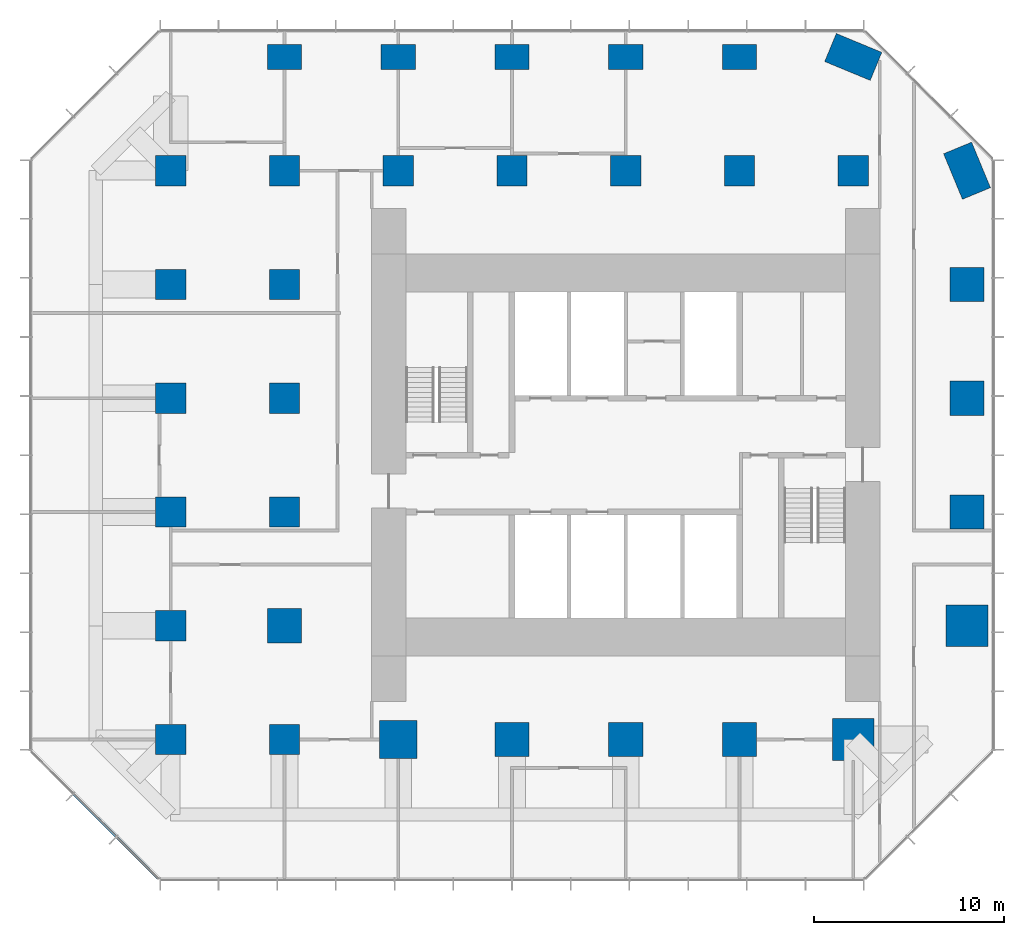
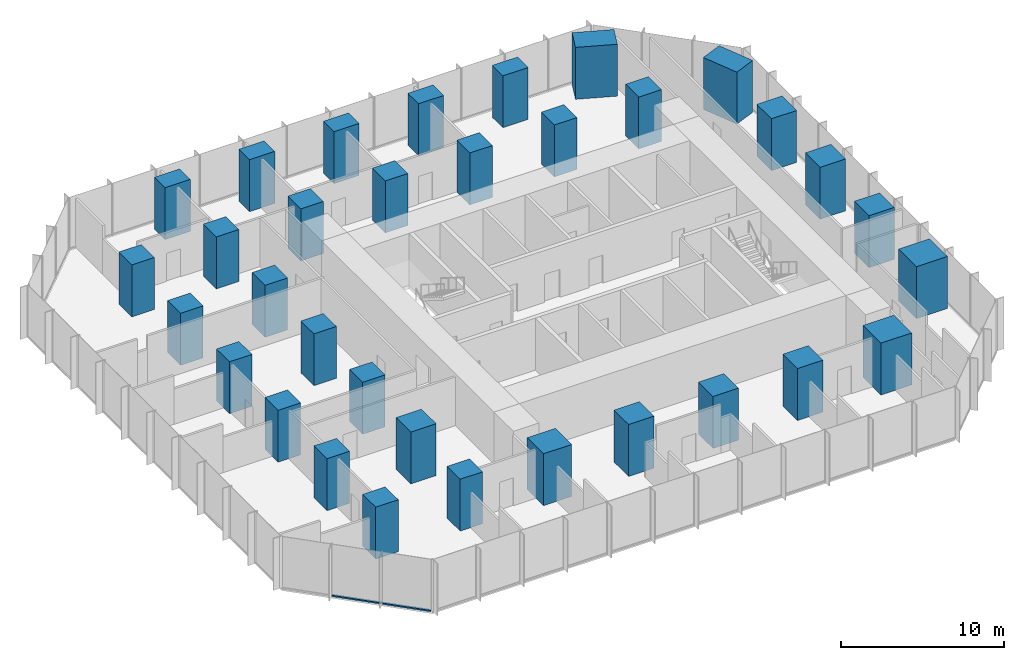
# One storey, part 1 of 11: 33 columns, 2 members, 1 element without a shape of its own.
"""IFC4 building model written with IfcOpenShell, lengths in metres."""

from ifc_helpers import new_model, si_unit, direction, frame, origin, origin_2d, place, context, subcontext, project, spatial, rectangle, extrude, material, layer, layer_set, material_profile, profile_set, type_object, element, aggregate, save


model = new_model("IFC4")

# Units and contexts
model_context = context("Model", 3, precision=1e-05, world=origin(), true_north=direction((0.0, 1.0)))
body_context = subcontext(model_context, "Body", "Model", "MODEL_VIEW")
ifc_project = project(units=[si_unit("LENGTHUNIT", "METRE"), si_unit("AREAUNIT", "SQUARE_METRE"), si_unit("VOLUMEUNIT", "CUBIC_METRE"), si_unit("PLANEANGLEUNIT", "RADIAN"), si_unit("MASSUNIT", "GRAM", prefix="KILO")], contexts=[model_context])

# Site, building, storey
site_placement = place(None, origin())
site = spatial("IfcSite", under=ifc_project, at=site_placement, CompositionType="ELEMENT")
building_placement = place(site_placement, origin())
building = spatial("IfcBuilding", under=site, at=building_placement, Name="Highveld Stack Headquarters", CompositionType="ELEMENT")
storey_placement = place(building_placement, frame((0.0, 0.0, 128.89990234375)))
storey = spatial("IfcBuildingStorey", under=building, at=storey_placement, Name="L31", CompositionType="ELEMENT", Elevation=128.89990234375)

# Columns
ifc_material_1 = material(Name="Concrete C60/75", Category="concrete")
ifc_material_profile_1 = material_profile(ifc_material_1, rectangle(XDim=1.60009765625, YDim=1.60009765625, at=origin_2d()), Name="RC 1600x1600")
ifc_profile_set_1 = profile_set([ifc_material_profile_1], Name="Concrete C60/75")
column_type_1 = type_object("IfcColumnType", Name="COLUMN RC 1600x1600 C60/75", PredefinedType="COLUMN", material=ifc_profile_set_1)
for number, where, z_axis, x_axis, name in (
    (1, (-18.0, -12.0, 0.0), (0.0, 0.0, 1.0), (1.0, 0.0, 0.0), "Column 3/C L31"),
    (2, (-18.0, -6.0, 0.0), (0.0, 0.0, 1.0), (1.0, 0.0, 0.0), "Column 3/D L31"),
    (3, (-18.0, 0.0, 0.0), (0.0, 0.0, 1.0), (1.0, 0.0, 0.0), "Column 3/E L31"),
    (4, (-18.0, 6.0, 0.0), (0.0, 0.0, 1.0), (1.0, 0.0, 0.0), "Column 3/F L31"),
    (5, (-18.0, 12.0, 0.0), (0.0, 0.0, 1.0), (1.0, 0.0, 0.0), "Column 3/G L31"),
    (6, (-18.0, 18.0, 0.0), (0.0, 0.0, 1.0), (1.0, 0.0, 0.0), "Column 3/H L31"),
    (7, (-12.0, -12.0, 0.0), (0.0, 0.0, 1.0), (1.0, 0.0, 0.0), "Column 4/C L31"),
    (8, (-12.0, 0.0, 0.0), (0.0, 0.0, 1.0), (1.0, 0.0, 0.0), "Column 4/E L31"),
    (9, (-12.0, 6.0, 0.0), (0.0, 0.0, 1.0), (1.0, 0.0, 0.0), "Column 4/F L31"),
    (10, (-12.0, 12.0, 0.0), (0.0, 0.0, 1.0), (1.0, 0.0, 0.0), "Column 4/G L31"),
    (11, (-12.0, 18.0, 0.0), (0.0, 0.0, 1.0), (1.0, 0.0, 0.0), "Column 4/H L31"),
    (12, (-6.0, 18.0, 0.0), (0.0, 0.0, 1.0), (1.0, 0.0, 0.0), "Column 5/H L31"),
    (13, (0.0, 18.0, 0.0), (0.0, 0.0, 1.0), (1.0, 0.0, 0.0), "Column 6/H L31"),
    (14, (6.0, 18.0, 0.0), (0.0, 0.0, 1.0), (1.0, 0.0, 0.0), "Column 7/H L31"),
    (15, (12.0, 18.0, 0.0), (0.0, 0.0, 1.0), (1.0, 0.0, 0.0), "Column 8/H L31"),
    (16, (18.0, 18.0, 0.0), (0.0, 0.0, 1.0), (1.0, 0.0, 0.0), "Column 9/H L31"),
):
    element("IfcColumn", number, at=place(storey_placement, frame(where, z_axis=z_axis, x_axis=x_axis)), inside=storey, type_object=column_type_1, Name=name, PredefinedType="COLUMN", context=body_context, shape_type="SweptSolid", body=[
        extrude(rectangle(XDim=1.60009765625, YDim=1.60009765625, at=origin_2d()), origin(), (0.0, 0.0, 1.0), 3.900146484375),
    ])
ifc_material_2 = material(Name="Concrete C60/75", Category="concrete")
ifc_material_profile_2 = material_profile(ifc_material_2, rectangle(XDim=1.800048828125, YDim=1.300048828125, at=origin_2d()), Name="RC 1800x1300")
ifc_profile_set_2 = profile_set([ifc_material_profile_2], Name="Concrete C60/75")
column_type_2 = type_object("IfcColumnType", Name="COLUMN RC 1800x1300 C60/75", PredefinedType="COLUMN", material=ifc_profile_set_2)
for number, where, z_axis, x_axis, name in (
    (17, (-12.0, 24.0, 0.0), (0.0, 0.0, 1.0), (1.0, 0.0, 0.0), "Column 4/J L31"),
    (18, (-6.0, 24.0, 0.0), (0.0, 0.0, 1.0), (1.0, 0.0, 0.0), "Column 5/J L31"),
    (19, (0.0, 24.0, 0.0), (0.0, 0.0, 1.0), (1.0, 0.0, 0.0), "Column 6/J L31"),
    (20, (6.0, 24.0, 0.0), (0.0, 0.0, 1.0), (1.0, 0.0, 0.0), "Column 7/J L31"),
    (21, (12.0, 24.0, 0.0), (0.0, 0.0, 1.0), (1.0, 0.0, 0.0), "Column 8/J L31"),
):
    element("IfcColumn", number, at=place(storey_placement, frame(where, z_axis=z_axis, x_axis=x_axis)), inside=storey, type_object=column_type_2, Name=name, PredefinedType="COLUMN", context=body_context, shape_type="SweptSolid", body=[
        extrude(rectangle(XDim=1.800048828125, YDim=1.300048828125, at=origin_2d()), origin(), (0.0, 0.0, 1.0), 3.900146484375),
    ])
ifc_material_3 = material(Name="Concrete C60/75", Category="concrete")
ifc_material_profile_3 = material_profile(ifc_material_3, rectangle(XDim=1.800048828125, YDim=1.800048828125, at=origin_2d()), Name="RC 1800x1800")
ifc_profile_set_3 = profile_set([ifc_material_profile_3], Name="Concrete C60/75")
column_type_3 = type_object("IfcColumnType", Name="COLUMN RC 1800x1800 C60/75", PredefinedType="COLUMN", material=ifc_profile_set_3)
for number, where, z_axis, x_axis, name in (
    (22, (-12.0, -6.0, 0.0), (0.0, 0.0, 1.0), (1.0, 0.0, 0.0), "Column 4/D L31"),
    (23, (0.0, -12.0, 0.0), (0.0, 0.0, 1.0), (1.0, 0.0, 0.0), "Column 6/C L31"),
    (24, (6.0, -12.0, 0.0), (0.0, 0.0, 1.0), (1.0, 0.0, 0.0), "Column 7/C L31"),
    (25, (12.0, -12.0, 0.0), (0.0, 0.0, 1.0), (1.0, 0.0, 0.0), "Column 8/C L31"),
    (26, (24.0, 0.0, 0.0), (0.0, 0.0, 1.0), (1.0, 0.0, 0.0), "Column 10/E L31"),
    (27, (24.0, 6.0, 0.0), (0.0, 0.0, 1.0), (1.0, 0.0, 0.0), "Column 10/F L31"),
    (28, (24.0, 12.0, 0.0), (0.0, 0.0, 1.0), (1.0, 0.0, 0.0), "Column 10/G L31"),
):
    element("IfcColumn", number, at=place(storey_placement, frame(where, z_axis=z_axis, x_axis=x_axis)), inside=storey, type_object=column_type_3, Name=name, PredefinedType="COLUMN", context=body_context, shape_type="SweptSolid", body=[
        extrude(rectangle(XDim=1.800048828125, YDim=1.800048828125, at=origin_2d()), origin(), (0.0, 0.0, 1.0), 3.900146484375),
    ])
ifc_material_4 = material(Name="Concrete C60/75", Category="concrete")
ifc_material_profile_4 = material_profile(ifc_material_4, rectangle(XDim=2.0, YDim=2.0, at=origin_2d()), Name="RC 2000x2000")
ifc_profile_set_4 = profile_set([ifc_material_profile_4], Name="Concrete C60/75")
column_type_4 = type_object("IfcColumnType", Name="COLUMN RC 2000x2000 C60/75", PredefinedType="COLUMN", material=ifc_profile_set_4)
column_placement = place(storey_placement, frame((-6.0, -12.0, 0.0), z_axis=(0.0, 0.0, 1.0), x_axis=(1.0, 0.0, 0.0)))
element("IfcColumn", 29, at=column_placement, inside=storey, type_object=column_type_4, Name="Column 5/C L31", PredefinedType="COLUMN", context=body_context, shape_type="SweptSolid", body=[
    extrude(rectangle(XDim=2.0, YDim=2.0, at=origin_2d()), origin(), (0.0, 0.0, 1.0), 3.900146484375),
])
ifc_material_5 = material(Name="Concrete C60/75", Category="concrete")
ifc_material_profile_5 = material_profile(ifc_material_5, rectangle(XDim=2.199951171875, YDim=2.199951171875, at=origin_2d()), Name="RC 2200x2200")
ifc_profile_set_5 = profile_set([ifc_material_profile_5], Name="Concrete C60/75")
column_type_5 = type_object("IfcColumnType", Name="COLUMN RC 2200x2200 C60/75", PredefinedType="COLUMN", material=ifc_profile_set_5)
for number, where, z_axis, x_axis, name in (
    (30, (18.0, -12.0, 0.0), (0.0, 0.0, 1.0), (1.0, 0.0, 0.0), "Column 9/C L31"),
    (31, (24.0, -6.0, 0.0), (0.0, 0.0, 1.0), (1.0, 0.0, 0.0), "Column 10/D L31"),
):
    element("IfcColumn", number, at=place(storey_placement, frame(where, z_axis=z_axis, x_axis=x_axis)), inside=storey, type_object=column_type_5, Name=name, PredefinedType="COLUMN", context=body_context, shape_type="SweptSolid", body=[
        extrude(rectangle(XDim=2.199951171875, YDim=2.199951171875, at=origin_2d()), origin(), (0.0, 0.0, 1.0), 3.900146484375),
    ])
ifc_material_6 = material(Name="Concrete C60/75", Category="concrete")
ifc_material_profile_6 = material_profile(ifc_material_6, rectangle(XDim=2.60009765625, YDim=1.60009765625, at=origin_2d()), Name="RC 2600x1600")
ifc_profile_set_6 = profile_set([ifc_material_profile_6], Name="Concrete C60/75")
column_type_6 = type_object("IfcColumnType", Name="COLUMN RC 2600x1600 C60/75", PredefinedType="COLUMN", material=ifc_profile_set_6)
for number, where, z_axis, x_axis, name in (
    (32, (18.0, 24.0, 0.0), (0.0, 0.0, 1.0), (0.923879532511, -0.382683432365, 0.0), "Column 9/J L31"),
    (33, (24.0, 18.0, 0.0), (0.0, 0.0, 1.0), (0.382683432365, -0.923879532511, 0.0), "Column 10/H L31"),
):
    element("IfcColumn", number, at=place(storey_placement, frame(where, z_axis=z_axis, x_axis=x_axis)), inside=storey, type_object=column_type_6, Name=name, PredefinedType="COLUMN", context=body_context, shape_type="SweptSolid", body=[
        extrude(rectangle(XDim=2.60009765625, YDim=1.60009765625, at=origin_2d()), origin(), (0.0, 0.0, 1.0), 3.900146484375),
    ])

# Curtain wall, members
ifc_material_7 = material(Name="Aluminium bronze anodised", Category="aluminium")
ifc_layer = layer(ifc_material_7, 0.199951171875)
ifc_layer_set = layer_set([ifc_layer], Name="Aluminium bronze anodised")
curtain_wall_type = type_object("IfcCurtainWallType", Name="CW2 TOWER CHAMFER UNITISED CURTAIN WALL", PredefinedType="NOTDEFINED", material=ifc_layer_set)
curtain_wall_placement = place(storey_placement, origin())
curtain_wall = element("IfcCurtainWall", 34, at=curtain_wall_placement, inside=storey, type_object=curtain_wall_type, Name="Curtain wall CW2 L31 SW", PredefinedType="NOTDEFINED")
ifc_material_8 = material(Name="Aluminium bronze anodised", Category="aluminium")
ifc_material_profile_7 = material_profile(ifc_material_8, rectangle(XDim=0.14990234375, YDim=0.10009765625, at=origin_2d()), Name="CW2 TRANSOM 150x100")
ifc_profile_set_7 = profile_set([ifc_material_profile_7], Name="Aluminium bronze anodised")
member_type = type_object("IfcMemberType", Name="CW2 STACK TRANSOM 150x100", PredefinedType="USERDEFINED", material=ifc_profile_set_7)
member_1_placement = place(storey_placement, frame((-23.103759765625, -14.876220703125, 0.050048828125), z_axis=(0.707106781187, -0.707106781187, 0.0), x_axis=(0.707106781187, 0.707106781187, 0.0)))
member_1 = element("IfcMember", 35, at=member_1_placement, type_object=member_type, Name="CW2 transom L31 2.1", ObjectType="TRANSOM", PredefinedType="USERDEFINED", context=body_context, shape_type="SweptSolid", body=[
    extrude(rectangle(XDim=0.14990234375, YDim=0.10009765625, at=origin_2d()), origin(), (0.0, 0.0, 1.0), 3.150146484375),
])
member_2_placement = place(storey_placement, frame((-20.830322265625, -17.149658203125, 0.050048828125), z_axis=(0.707106781187, -0.707106781187, 0.0), x_axis=(0.707106781187, 0.707106781187, 0.0)))
member_2 = element("IfcMember", 36, at=member_2_placement, type_object=member_type, Name="CW2 transom L31 3.1", ObjectType="TRANSOM", PredefinedType="USERDEFINED", context=body_context, shape_type="SweptSolid", body=[
    extrude(rectangle(XDim=0.14990234375, YDim=0.10009765625, at=origin_2d()), origin(), (0.0, 0.0, 1.0), 3.08251953125),
])
aggregate(curtain_wall, [member_1, member_2])

save(model, "model.ifc")
